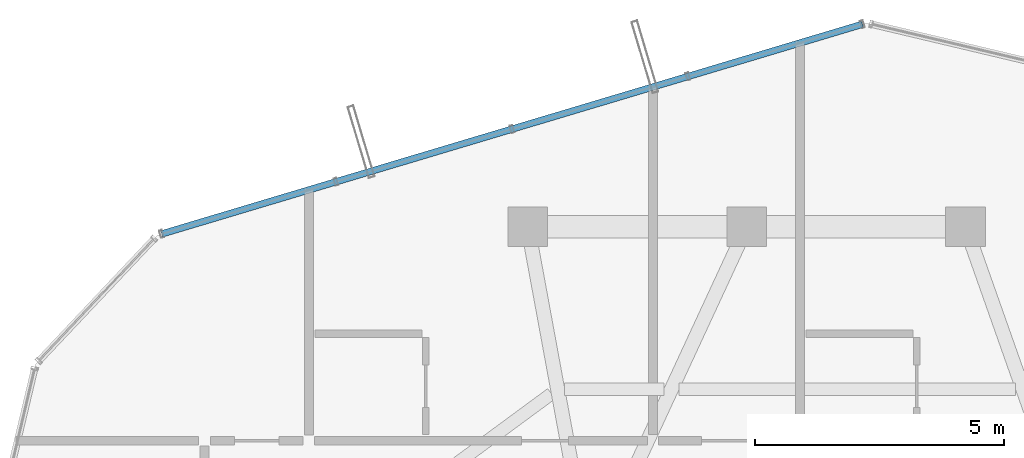
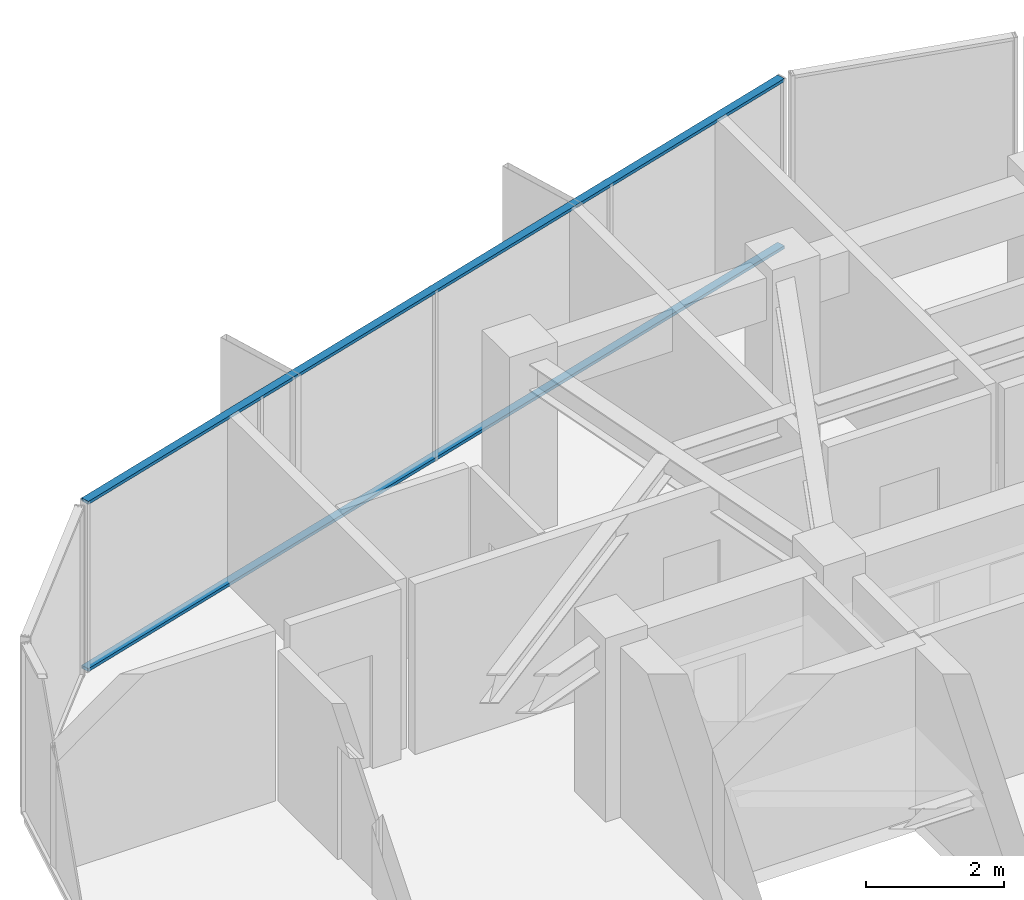
# One storey, part 21 of 28: 2 members, 1 element without a shape of its own.
"""IFC4 building model written with IfcOpenShell, lengths in metres."""

from ifc_helpers import new_model, si_unit, direction, frame, origin, origin_2d, place, context, subcontext, project, spatial, hollow_rectangle, extrude, source, transform, mapped, material, layer, layer_set, material_profile, profile_set, type_object, element, aggregate, save


model = new_model("IFC4")

# Units and contexts
model_context = context("Model", 3, precision=1e-05, world=origin(), true_north=direction((0.0, 1.0)))
body_context = subcontext(model_context, "Body", "Model", "MODEL_VIEW")
ifc_project = project(units=[si_unit("LENGTHUNIT", "METRE"), si_unit("AREAUNIT", "SQUARE_METRE"), si_unit("VOLUMEUNIT", "CUBIC_METRE"), si_unit("PLANEANGLEUNIT", "RADIAN"), si_unit("MASSUNIT", "GRAM", prefix="KILO")], contexts=[model_context])

# Site, building, storey
site_placement = place(None, origin())
site = spatial("IfcSite", under=ifc_project, at=site_placement, CompositionType="ELEMENT")
building_placement = place(site_placement, origin())
building = spatial("IfcBuilding", under=site, at=building_placement, Name="Veraguas Prism Commons", CompositionType="ELEMENT")
storey_placement = place(building_placement, frame((0.0, 0.0, 254.5)))
storey = spatial("IfcBuildingStorey", under=building, at=storey_placement, Name="L72", CompositionType="ELEMENT", Elevation=254.5)

# Curtain wall, members
ifc_material = material(Name="Anodised aluminium EN AW-6063 T6", Category="aluminium")
ifc_layer = layer(ifc_material, 0.14990234375, Name="Unitised Flush Curtain Wall Zone 4", Category="aluminium")
ifc_layer_set = layer_set([ifc_layer], Name="Anodised aluminium EN AW-6063 T6")
curtain_wall_type = type_object("IfcCurtainWallType", Name="Unitised Flush Curtain Wall Zone 4", PredefinedType="NOTDEFINED", material=ifc_layer_set)
curtain_wall_placement = place(storey_placement, origin())
curtain_wall = element("IfcCurtainWall", 1, at=curtain_wall_placement, inside=storey, type_object=curtain_wall_type, Name="Tower Facade Curtain Wall L72-F2", PredefinedType="NOTDEFINED")
ifc_material_profile = material_profile(ifc_material, hollow_rectangle(XDim=0.054931640625, YDim=0.135009765625, WallThickness=0.0029296875, at=origin_2d()), Name="AL55X135X3")
ifc_profile_set = profile_set([ifc_material_profile], Name="Anodised aluminium EN AW-6063 T6")
member_type = type_object("IfcMemberType", Name="Curtain Wall Transom Standard AL 55x135x3", PredefinedType="USERDEFINED", material=ifc_profile_set)
shared_shape = source(origin(), body_context, "Body", "SweptSolid", [
    extrude(hollow_rectangle(XDim=0.054931640625, YDim=0.135009765625, WallThickness=0.0029296875, at=origin_2d()), origin(), (0.0, 0.0, 1.0), 14.706298828125),
])
member_1_placement = place(storey_placement, frame((26.3271484375, 41.871826171875, 0.027587890625), z_axis=(-0.958025722602, -0.28668225413, 0.0), x_axis=(0.0, 0.0, 1.0)))
member_1 = element("IfcMember", 2, at=member_1_placement, type_object=member_type, Name="CW-Z4 Transom 1", ObjectType="TRANSOM", PredefinedType="USERDEFINED", context=body_context, shape_type="MappedRepresentation", body=[
    mapped(shared_shape, transform((0.0, 0.0, 0.0), scale=1.0)),
])
member_2_placement = place(storey_placement, frame((26.3271484375, 41.871826171875, 2.987548828125), z_axis=(-0.958025722602, -0.28668225413, 0.0), x_axis=(0.0, 0.0, 1.0)))
member_2 = element("IfcMember", 3, at=member_2_placement, type_object=member_type, Name="CW-Z4 Transom 2", ObjectType="TRANSOM", PredefinedType="USERDEFINED", context=body_context, shape_type="MappedRepresentation", body=[
    mapped(shared_shape, transform((0.0, 0.0, 0.0), scale=1.0)),
])
aggregate(curtain_wall, [member_1, member_2])

save(model, "model.ifc")
